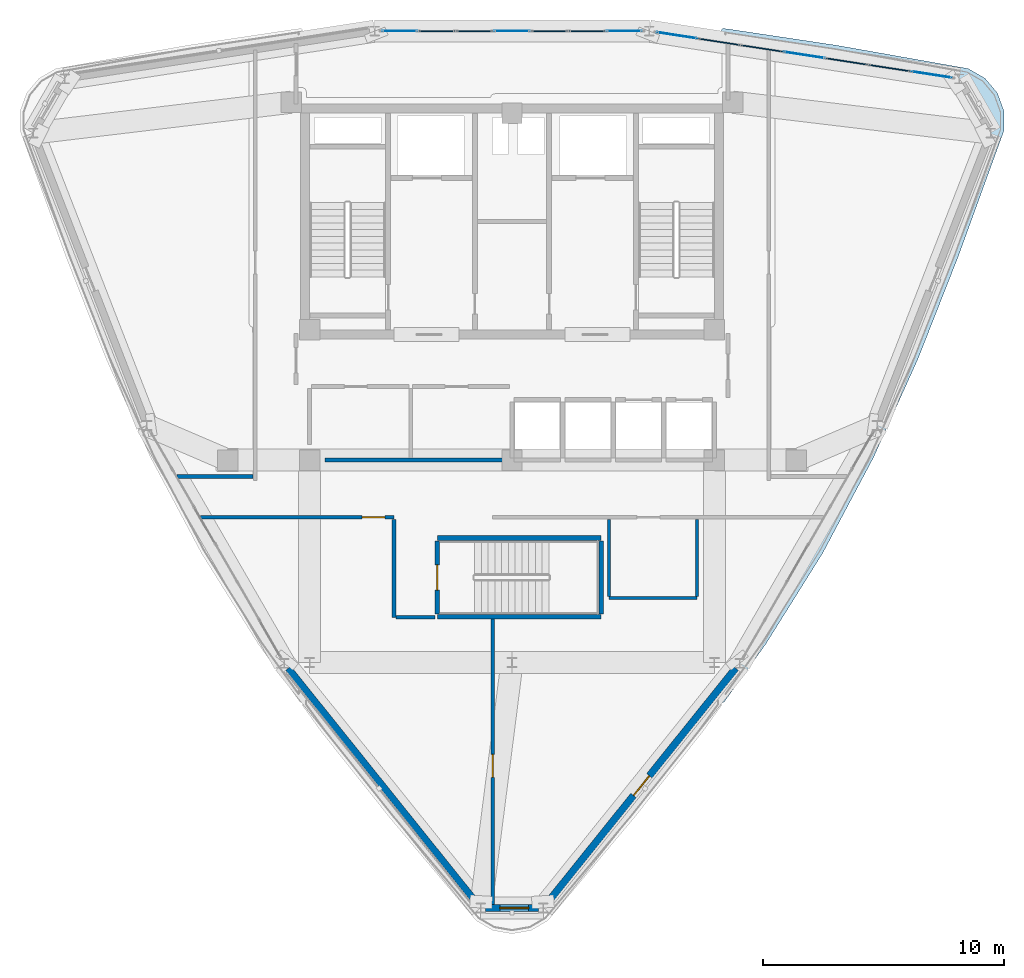
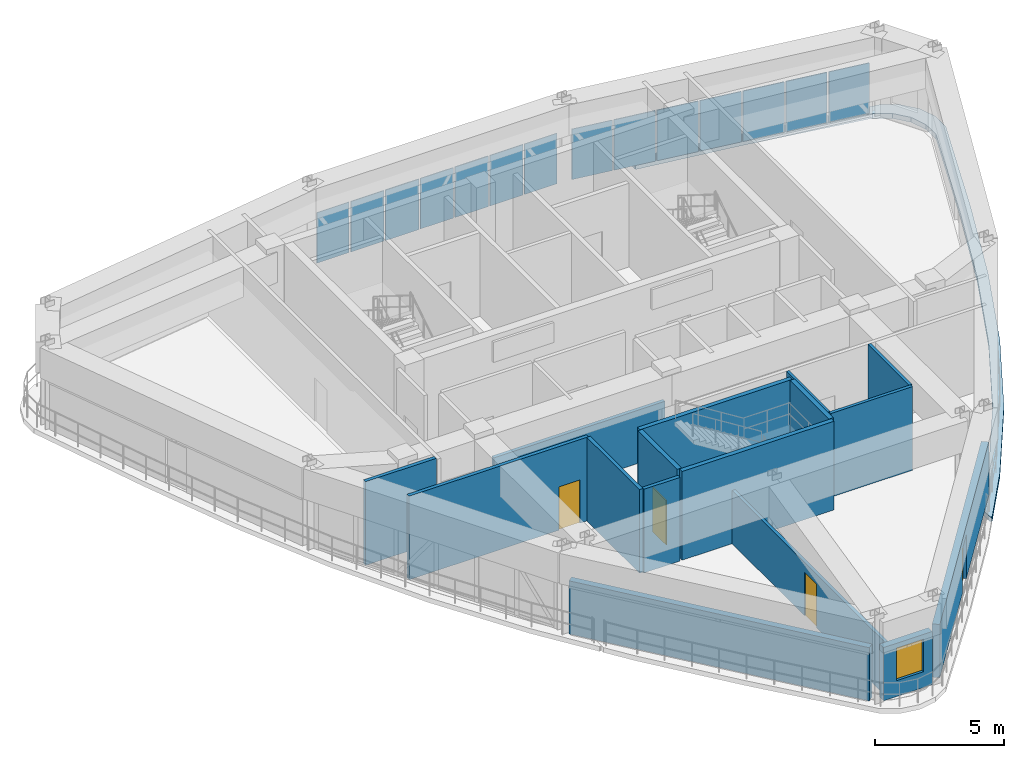
# One storey, part 12 of 18: 16 walls, 14 plates, 4 doors, 1 slab, 1 window, 5 openings, 2 elements without a shape of their own.
"""IFC4 building model written with IfcOpenShell, lengths in metres."""

import ifcopenshell
import ifcopenshell.guid

model = None  # the IFC model being written
_history = None  # IfcOwnerHistory: only IFC2X3 demands one
_inside = {}  # id of a spatial element -> (the spatial element, [elements in it])
_under = {}  # id of a project, library or spatial element -> (it, [spatial elements below it])
_declared = {}  # id of a project -> (the project, [libraries it declares])
_typed = {}  # id of a type object -> (the type object, [elements of that type])
_made_of = {}  # id of a material, layer set ... -> (it, [elements and type objects made of it])


def new_model(schema):
    """Start an empty IFC model of exactly this schema.

    Asked for "IFC4X3", IfcOpenShell would pick the latest addendum, in which some entities
    have other attributes; the version numbers below select the first issue.
    IFC2X3 requires an IfcOwnerHistory on every rooted entity: one is made here for all.
    """
    global model, _history
    if schema == "IFC4X3":
        model = ifcopenshell.file(schema_version=(4, 3, 0, 0))
    else:
        model = ifcopenshell.file(schema=schema)
    _inside.clear()
    _under.clear()
    _declared.clear()
    _typed.clear()
    _made_of.clear()
    _history = None
    if model.schema == "IFC2X3":
        org = make("IfcOrganization", Name="unknown")
        user = make(
            "IfcPersonAndOrganization",
            ThePerson=make("IfcPerson", FamilyName="unknown"),
            TheOrganization=org,
        )
        app = make(
            "IfcApplication",
            ApplicationDeveloper=org,
            Version="unknown",
            ApplicationFullName="unknown",
            ApplicationIdentifier="unknown",
        )
        _history = make(
            "IfcOwnerHistory",
            OwningUser=user,
            OwningApplication=app,
            ChangeAction="ADDED",
            CreationDate=0,
        )
    return model


def make(cls, **values):
    """One entity of the class cls with the attributes given. An attribute that is None is left unset."""
    return model.create_entity(
        cls, **{name: value for name, value in values.items() if value is not None}
    )


def rooted(cls, **values):
    """An entity with a GlobalId (a new one), such as an element, a storey or a relation."""
    return make(cls, GlobalId=ifcopenshell.guid.new(), OwnerHistory=_history, **values)


def si_unit(unit_type, name, prefix=None):
    """IfcSIUnit, for example si_unit("LENGTHUNIT", "METRE", prefix="MILLI")."""
    return make("IfcSIUnit", UnitType=unit_type, Prefix=prefix, Name=name)


def derived_unit(unit_type, elements):
    """IfcDerivedUnit: a product of units, each with its exponent."""
    return make(
        "IfcDerivedUnit",
        Elements=[
            make("IfcDerivedUnitElement", Unit=unit, Exponent=power)
            for unit, power in elements
        ],
        UnitType=unit_type,
    )


def assignment(units):
    """IfcUnitAssignment: the units of a project."""
    return None if units is None else make("IfcUnitAssignment", Units=units)


def point(xyz):
    """IfcCartesianPoint."""
    return None if xyz is None else make("IfcCartesianPoint", Coordinates=xyz)


def direction(xyz):
    """IfcDirection."""
    return None if xyz is None else make("IfcDirection", DirectionRatios=xyz)


def frame(location, z_axis=None, x_axis=None):
    """IfcAxis2Placement3D, a coordinate frame: its origin and axes. An axis left out is left unset."""
    return make(
        "IfcAxis2Placement3D",
        Location=point(location),
        Axis=direction(z_axis),
        RefDirection=direction(x_axis),
    )


def frame_2d(location, x_axis=None):
    """IfcAxis2Placement2D, a coordinate frame in the plane: its origin and x axis."""
    return make(
        "IfcAxis2Placement2D", Location=point(location), RefDirection=direction(x_axis)
    )


def origin():
    """The frame at (0, 0, 0) with its axes left unset."""
    return frame((0.0, 0.0, 0.0))


def origin_2d():
    """The frame at (0, 0) in the plane with its x axis left unset."""
    return frame_2d((0.0, 0.0))


def place(relative_to, where):
    """IfcLocalPlacement: puts the frame where relative to a parent placement (None: the world)."""
    return make(
        "IfcLocalPlacement", PlacementRelTo=relative_to, RelativePlacement=where
    )


def context(
    kind, dimensions, precision=None, world=None, true_north=None, identifier=None
):
    """IfcGeometricRepresentationContext, for example the 3D "Model" context."""
    return make(
        "IfcGeometricRepresentationContext",
        ContextIdentifier=identifier,
        ContextType=kind,
        CoordinateSpaceDimension=dimensions,
        Precision=precision,
        WorldCoordinateSystem=world,
        TrueNorth=true_north,
    )


def subcontext(parent, identifier, kind, view, scale=None):
    """IfcGeometricRepresentationSubContext, for example "Body" below "Model"."""
    return make(
        "IfcGeometricRepresentationSubContext",
        ContextIdentifier=identifier,
        ContextType=kind,
        ParentContext=parent,
        TargetScale=scale,
        TargetView=view,
    )


def project(units=None, contexts=None):
    """IfcProject with its units and contexts."""
    return rooted(
        "IfcProject",
        Name="project",
        RepresentationContexts=contexts,
        UnitsInContext=assignment(units),
    )


def spatial(cls, under=None, at=None, **own):
    """A site, building, storey or space (cls), placed at a placement, below another one or the project."""
    s = rooted(cls, ObjectPlacement=at, **own)
    if under is not None:
        _under.setdefault(under.id(), (under, []))[1].append(s)
    return s


def polyline(points):
    """IfcPolyline through the points."""
    return make("IfcPolyline", Points=[point(p) for p in points])


def profile(cls, at=None, kind="AREA", **sizes):
    """A parametric profile (cls). Its sizes go by their IFC names, for example OverallWidth=200.0."""
    return make(cls, ProfileType=kind, Position=at, **sizes)


def rectangle(**sizes):
    """IfcRectangleProfileDef."""
    return profile("IfcRectangleProfileDef", **sizes)


def outline(outer, holes=None, kind="AREA"):
    """IfcArbitraryClosedProfileDef: a profile drawn as a closed curve; with holes, ...WithVoids."""
    if holes is None:
        return make("IfcArbitraryClosedProfileDef", ProfileType=kind, OuterCurve=outer)
    return make(
        "IfcArbitraryProfileDefWithVoids",
        ProfileType=kind,
        OuterCurve=outer,
        InnerCurves=holes,
    )


def extrude(swept, where, along, depth):
    """IfcExtrudedAreaSolid: the profile swept, set in the frame where, extruded along a direction by depth."""
    return make(
        "IfcExtrudedAreaSolid",
        SweptArea=swept,
        Position=where,
        ExtrudedDirection=direction(along),
        Depth=depth,
    )


def shape(context_of_items, identifier, shape_type, items):
    """IfcShapeRepresentation: the items that make up one representation, for example the "Body"."""
    return make(
        "IfcShapeRepresentation",
        ContextOfItems=context_of_items,
        RepresentationIdentifier=identifier,
        RepresentationType=shape_type,
        Items=items,
    )


def source(mapping_origin, context_of_items, identifier, shape_type, items):
    """IfcRepresentationMap: a shape defined once, which mapped items show again and again."""
    return make(
        "IfcRepresentationMap",
        MappingOrigin=mapping_origin,
        MappedRepresentation=shape(context_of_items, identifier, shape_type, items),
    )


def transform(
    local_origin,
    x_axis=None,
    y_axis=None,
    z_axis=None,
    scale=None,
    scale2=None,
    scale3=None,
    uniform=True,
):
    """IfcCartesianTransformationOperator3D, or its non-uniform kind. x_axis, y_axis, z_axis: its Axis1, 2, 3."""
    if uniform:
        return make(
            "IfcCartesianTransformationOperator3D",
            Axis1=direction(x_axis),
            Axis2=direction(y_axis),
            LocalOrigin=point(local_origin),
            Scale=scale,
            Axis3=direction(z_axis),
        )
    return make(
        "IfcCartesianTransformationOperator3DnonUniform",
        Axis1=direction(x_axis),
        Axis2=direction(y_axis),
        LocalOrigin=point(local_origin),
        Scale=scale,
        Axis3=direction(z_axis),
        Scale2=scale2,
        Scale3=scale3,
    )


def mapped(mapping_source, mapping_target):
    """IfcMappedItem: shows the shape of a source again, moved by a transform."""
    return make(
        "IfcMappedItem", MappingSource=mapping_source, MappingTarget=mapping_target
    )


def material(Name=None, Category=None):
    """IfcMaterial."""
    return make("IfcMaterial", Name=Name, Category=Category)


def layer(
    of_material, thickness, ventilated=None, Name=None, Category=None, Priority=None
):
    """IfcMaterialLayer: one layer of a wall or slab, of a material (None: an air gap)."""
    return make(
        "IfcMaterialLayer",
        Material=of_material,
        LayerThickness=thickness,
        IsVentilated=ventilated,
        Name=Name,
        Category=Category,
        Priority=Priority,
    )


def layer_set(layers, Name=None):
    """IfcMaterialLayerSet."""
    return make("IfcMaterialLayerSet", MaterialLayers=layers, LayerSetName=Name)


def made_of(thing, what):
    """Note that an element or type object is made of a material, layer set ...; save() writes the relation."""
    if what is not None:
        _made_of.setdefault(what.id(), (what, []))[1].append(thing)
    return thing


def type_object(cls, material=None, **own):
    """A type object (cls), such as IfcWallType, which elements share."""
    return made_of(rooted(cls, **own), material)


def element(
    cls,
    number,
    at=None,
    inside=None,
    cuts=None,
    type_object=None,
    material=None,
    context=None,
    identifier="Body",
    shape_type=None,
    held_by="IfcProductDefinitionShape",
    body=None,
    shapes=None,
    **own,
):
    """One element of the class cls, such as IfcWall. Its Tag is "e" and its number.

    at: its placement. inside: the storey or other place that contains it. cuts: it is an
    opening in that element (IfcRelVoidsElement). A single representation is given by context,
    identifier, shape_type and body (its items); several are given by shapes. held_by: the class
    of the entity that holds the representations. save() writes the other relations.
    """
    e = rooted(cls, Tag="e%d" % number, ObjectPlacement=at, **own)
    if body is not None:
        shapes = [shape(context, identifier, shape_type, body)]
    if shapes is not None:
        e.Representation = make(held_by, Representations=shapes)
    if inside is not None:
        _inside.setdefault(inside.id(), (inside, []))[1].append(e)
    if cuts is not None:
        rooted(
            "IfcRelVoidsElement", RelatingBuildingElement=cuts, RelatedOpeningElement=e
        )
    if type_object is not None:
        _typed.setdefault(type_object.id(), (type_object, []))[1].append(e)
    return made_of(e, material)


def fill(opening, filler):
    """IfcRelFillsElement: the door or window that sits in an opening."""
    return rooted(
        "IfcRelFillsElement",
        RelatingOpeningElement=opening,
        RelatedBuildingElement=filler,
    )


def aggregate(whole, parts):
    """IfcRelAggregates: a whole, such as a stair, and the parts it consists of."""
    return rooted("IfcRelAggregates", RelatingObject=whole, RelatedObjects=parts)


def save(model, path):
    """Write the relations noted so far, then the file.

    IfcRelAggregates (storeys below a building ...), IfcRelContainedInSpatialStructure (elements
    in a storey), IfcRelDefinesByType, IfcRelAssociatesMaterial and IfcRelDeclares: one each for
    every whole, place, type object, material and project.
    """
    for whole, parts in _under.values():
        aggregate(whole, parts)
    for where, things in _inside.values():
        rooted(
            "IfcRelContainedInSpatialStructure",
            RelatedElements=things,
            RelatingStructure=where,
        )
    for kind, things in _typed.values():
        rooted("IfcRelDefinesByType", RelatedObjects=things, RelatingType=kind)
    for what, things in _made_of.values():
        rooted("IfcRelAssociatesMaterial", RelatedObjects=things, RelatingMaterial=what)
    for by, libraries in _declared.values():
        rooted("IfcRelDeclares", RelatingContext=by, RelatedDefinitions=libraries)
    model.write(path)


model = new_model("IFC4")

# Units and contexts
model_context = context("Model", 3, precision=1e-05, world=origin(), true_north=direction((0.0, 1.0)))
body_context = subcontext(model_context, "Body", "Model", "MODEL_VIEW")
ifc_project = project(units=[si_unit("LENGTHUNIT", "METRE"), si_unit("AREAUNIT", "SQUARE_METRE"), si_unit("VOLUMEUNIT", "CUBIC_METRE"), si_unit("PLANEANGLEUNIT", "RADIAN"), si_unit("MASSUNIT", "GRAM", prefix="KILO"), derived_unit("THERMALTRANSMITTANCEUNIT", [(si_unit("POWERUNIT", "WATT"), 1), (si_unit("LENGTHUNIT", "METRE"), -2), (si_unit("THERMODYNAMICTEMPERATUREUNIT", "KELVIN"), -1)])], contexts=[model_context])

# Site, building, storey
site_placement = place(None, origin())
site = spatial("IfcSite", under=ifc_project, at=site_placement, CompositionType="ELEMENT")
building_placement = place(site_placement, origin())
building = spatial("IfcBuilding", under=site, at=building_placement, Name="Korsvarv Bourse and Concert Hall", CompositionType="ELEMENT")
storey_placement = place(building_placement, frame((0.0, 0.0, 275.39990234375)))
storey = spatial("IfcBuildingStorey", under=building, at=storey_placement, Name="L72", CompositionType="ELEMENT", Elevation=275.39990234375)

# Slab
ifc_material_1 = material(Name="Concrete C45/55", Category="concrete")
ifc_layer_1 = layer(ifc_material_1, 0.22998046875)
ifc_layer_set_1 = layer_set([ifc_layer_1], Name="Concrete C45/55")
slab_type = type_object("IfcSlabType", Name="SLB-SKY", PredefinedType="FLOOR", material=ifc_layer_set_1)
slab_placement = place(storey_placement, frame((0.0, 0.0, -0.22998046875)))
element("IfcSlab", 1, at=slab_placement, inside=storey, type_object=slab_type, Name="L72 Crescent Sky Garden Terrace 2", PredefinedType="FLOOR", context=body_context, shape_type="SweptSolid", body=[
    extrude(outline(polyline([(44.751220703125, 49.8525390625), (44.7451171875, 49.853759765625), (44.7392578125, 49.85546875), (44.733642578125, 49.85791015625), (44.728515625, 49.86083984375), (44.723388671875, 49.8642578125), (44.71875, 49.868408203125), (44.714599609375, 49.872802734375), (44.710693359375, 49.87744140625), (44.70751953125, 49.8828125), (44.704833984375, 49.88818359375), (44.702880859375, 49.893798828125), (44.701171875, 49.899658203125), (44.7001953125, 49.90576171875), (44.699951171875, 49.911865234375), (44.699951171875, 50.24658203125), (44.7001953125, 50.25244140625), (44.701171875, 50.25830078125), (44.70263671875, 50.263916015625), (44.70458984375, 50.26953125), (44.70703125, 50.27490234375), (44.710205078125, 50.27978515625), (44.713623046875, 50.28466796875), (44.717529296875, 50.2890625), (44.721923828125, 50.29296875), (44.726806640625, 50.29638671875), (44.731689453125, 50.29931640625), (44.737060546875, 50.302001953125), (44.74267578125, 50.303955078125), (44.748291015625, 50.305419921875), (44.754150390625, 50.30615234375), (44.760009765625, 50.306396484375), (44.76611328125, 50.30615234375), (44.960693359375, 50.28662109375), (44.963623046875, 50.286376953125), (49.464599609375, 49.610107421875), (49.466064453125, 49.610107421875), (53.990478515625, 48.808349609375), (54.921630859375, 48.64404296875), (54.9267578125, 48.64306640625), (54.931884765625, 48.641357421875), (54.9365234375, 48.639404296875), (54.94140625, 48.636962890625), (55.61669921875, 48.2470703125), (55.62109375, 48.244384765625), (55.625244140625, 48.2412109375), (55.629150390625, 48.237548828125), (55.632568359375, 48.233642578125), (56.1337890625, 47.63623046875), (56.136962890625, 47.632080078125), (56.139892578125, 47.627685546875), (56.14208984375, 47.623046875), (56.144287109375, 47.618408203125), (56.410888671875, 46.885498046875), (56.41259765625, 46.880615234375), (56.413818359375, 46.875244140625), (56.414306640625, 46.8701171875), (56.41455078125, 46.864990234375), (56.41455078125, 46.085205078125), (56.414306640625, 46.079833984375), (56.413818359375, 46.07470703125), (56.41259765625, 46.069580078125), (56.410888671875, 46.064697265625), (56.08740234375, 45.17529296875), (54.519775390625, 40.85693359375), (54.51904296875, 40.855712890625), (52.85400390625, 36.61962890625), (52.85302734375, 36.616943359375), (51.001220703125, 32.510009765625), (50.99951171875, 32.506591796875), (48.89990234375, 28.5546875), (48.89794921875, 28.551025390625), (46.525146484375, 24.756591796875), (46.523193359375, 24.75341796875), (44.80859375, 22.370361328125), (44.80517578125, 22.36572265625), (44.801025390625, 22.361572265625), (44.796630859375, 22.35791015625), (44.7919921875, 22.3544921875), (44.786865234375, 22.351806640625), (44.781494140625, 22.349365234375), (44.77587890625, 22.34765625), (44.770263671875, 22.34619140625), (44.764404296875, 22.345703125), (44.7587890625, 22.345458984375), (44.7529296875, 22.345703125), (44.747314453125, 22.3466796875), (44.74169921875, 22.348388671875), (44.736083984375, 22.350341796875), (44.73095703125, 22.352783203125), (44.72607421875, 22.35595703125), (44.721435546875, 22.359619140625), (44.717041015625, 22.36328125), (44.71337890625, 22.367919921875), (44.709716796875, 22.37255859375), (44.706787109375, 22.37744140625), (44.704345703125, 22.3828125), (44.702392578125, 22.38818359375), (44.701171875, 22.393798828125), (44.7001953125, 22.399658203125), (44.699951171875, 22.405517578125), (44.699951171875, 22.971923828125), (44.7001953125, 22.978271484375), (44.701416015625, 22.984375), (44.702880859375, 22.990478515625), (44.705078125, 22.99609375), (44.7080078125, 23.001708984375), (44.711181640625, 23.007080078125), (46.205810546875, 25.084716796875), (46.206298828125, 25.085205078125), (46.206787109375, 25.0859375), (48.51318359375, 28.7744140625), (48.513671875, 28.775390625), (48.513916015625, 28.77587890625), (50.55517578125, 32.61767578125), (50.5556640625, 32.618408203125), (50.555908203125, 32.619140625), (52.35595703125, 36.611328125), (52.356201171875, 36.61181640625), (52.3564453125, 36.612548828125), (53.97509765625, 40.7294921875), (53.97509765625, 40.729736328125), (53.975341796875, 40.730224609375), (55.499267578125, 44.927001953125), (55.814453125, 45.792724609375), (55.814697265625, 45.79345703125), (55.81494140625, 45.794677734375), (55.815185546875, 45.795654296875), (55.815185546875, 45.796875), (55.815185546875, 45.797607421875), (55.815185546875, 46.5625), (55.815185546875, 46.56298828125), (55.815185546875, 46.564453125), (55.81494140625, 46.565185546875), (55.814697265625, 46.566650390625), (55.814453125, 46.567138671875), (55.552734375, 47.285888671875), (55.552490234375, 47.28662109375), (55.552001953125, 47.287841796875), (55.551513671875, 47.28857421875), (55.55078125, 47.289794921875), (55.55029296875, 47.2900390625), (55.05859375, 47.876220703125), (55.05810546875, 47.87646484375), (55.057373046875, 47.87744140625), (55.056640625, 47.878173828125), (55.055419921875, 47.87890625), (55.054931640625, 47.879150390625), (54.392333984375, 48.26171875), (54.391845703125, 48.261962890625), (54.390625, 48.262451171875), (54.389892578125, 48.2626953125), (54.388427734375, 48.26318359375), (54.387939453125, 48.26318359375), (53.481201171875, 48.423095703125), (49.083984375, 49.201904296875), (49.083740234375, 49.201904296875), (49.08349609375, 49.2021484375), (44.751220703125, 49.8525390625)])), origin(), (0.0, 0.0, 1.0), 0.22998046875),
])

# Curtain wall, plates
ifc_material_2 = material(Name="Anodised aluminium and triple low-E glazing", Category="glass")
ifc_layer_2 = layer(ifc_material_2, 0.18994140625)
ifc_layer_set_2 = layer_set([ifc_layer_2], Name="Anodised aluminium and triple low-E glazing")
curtain_wall_type = type_object("IfcCurtainWallType", Name="CW-SYS-4", PredefinedType="NOTDEFINED", material=ifc_layer_set_2)
curtain_wall_1_placement = place(storey_placement, origin())
curtain_wall_1 = element("IfcCurtainWall", 2, at=curtain_wall_1_placement, inside=storey, type_object=curtain_wall_type, Name="L72 CW4 curtain wall CW-L72-F02", PredefinedType="NOTDEFINED")
ifc_material_3 = material(Name="Insulated spandrel glass", Category="glass")
ifc_layer_3 = layer(ifc_material_3, 0.031982421875)
ifc_layer_set_3 = layer_set([ifc_layer_3], Name="Insulated spandrel glass")
plate_type_1 = type_object("IfcPlateType", Name="CWP-SPD1", PredefinedType="CURTAIN_PANEL", material=ifc_layer_set_3)
shared_shape_1 = source(origin(), body_context, "Body", "SweptSolid", [
    extrude(rectangle(XDim=1.68212890625, YDim=0.031982421875, at=origin_2d()), origin(), (0.0, 0.0, 1.0), 2.389892578125),
])
plate_1_placement = place(storey_placement, frame((53.4130859375, 48.3955078125, 0.06494140625), z_axis=(0.0, 0.0, 1.0), x_axis=(-0.98834451222, 0.152233784573, 0.0)))
plate_1 = element("IfcPlate", 3, at=plate_1_placement, type_object=plate_type_1, Name="CW4 spandrel shadow-box panel 1.1", PredefinedType="CURTAIN_PANEL", context=body_context, shape_type="MappedRepresentation", body=[
    mapped(shared_shape_1, transform((0.0, 0.0, 0.0), scale=1.0)),
])
plate_2_placement = place(storey_placement, frame((42.85009765625, 50.0224609375, 0.06494140625), z_axis=(0.0, 0.0, 1.0), x_axis=(-0.98834451222, 0.152233784573, 0.0)))
plate_2 = element("IfcPlate", 4, at=plate_2_placement, type_object=plate_type_1, Name="CW4 spandrel shadow-box panel 7.1", PredefinedType="CURTAIN_PANEL", context=body_context, shape_type="MappedRepresentation", body=[
    mapped(shared_shape_1, transform((0.0, 0.0, 0.0), scale=1.0)),
])
ifc_material_4 = material(Name="Tempered triple insulated low-E architectural glass", Category="glass")
ifc_layer_4 = layer(ifc_material_4, 0.0419921875)
ifc_layer_set_4 = layer_set([ifc_layer_4], Name="Tempered triple insulated low-E architectural glass")
plate_type_2 = type_object("IfcPlateType", Name="CWP-VIS3", PredefinedType="CURTAIN_PANEL", material=ifc_layer_set_4)
shared_shape_2 = source(origin(), body_context, "Body", "SweptSolid", [
    extrude(rectangle(XDim=1.717041015625, YDim=0.0419921875, at=origin_2d()), origin(), (0.0, 0.0, 1.0), 2.389892578125),
])
plate_3_placement = place(storey_placement, frame((51.664306640625, 48.664794921875, 0.06494140625), z_axis=(0.0, 0.0, 1.0), x_axis=(-0.98834451222, 0.152233784573, 0.0)))
plate_3 = element("IfcPlate", 5, at=plate_3_placement, type_object=plate_type_2, Name="CW4 faceted panel 2.1", PredefinedType="CURTAIN_PANEL", context=body_context, shape_type="MappedRepresentation", body=[
    mapped(shared_shape_2, transform((0.0, 0.0, 0.0), scale=1.0)),
])
plate_4_placement = place(storey_placement, frame((49.89794921875, 48.93701171875, 0.06494140625), z_axis=(0.0, 0.0, 1.0), x_axis=(-0.98834451222, 0.152233784573, 0.0)))
plate_4 = element("IfcPlate", 6, at=plate_4_placement, type_object=plate_type_2, Name="CW4 faceted panel 3.1", PredefinedType="CURTAIN_PANEL", context=body_context, shape_type="MappedRepresentation", body=[
    mapped(shared_shape_2, transform((0.0, 0.0, 0.0), scale=1.0)),
])
plate_5_placement = place(storey_placement, frame((46.365478515625, 49.48095703125, 0.06494140625), z_axis=(0.0, 0.0, 1.0), x_axis=(-0.98834451222, 0.152233784573, 0.0)))
plate_5 = element("IfcPlate", 7, at=plate_5_placement, type_object=plate_type_2, Name="CW4 faceted panel 5.1", PredefinedType="CURTAIN_PANEL", context=body_context, shape_type="MappedRepresentation", body=[
    mapped(shared_shape_2, transform((0.0, 0.0, 0.0), scale=1.0)),
])
plate_6_placement = place(storey_placement, frame((44.59912109375, 49.753173828125, 0.06494140625), z_axis=(0.0, 0.0, 1.0), x_axis=(-0.98834451222, 0.152233784573, 0.0)))
plate_6 = element("IfcPlate", 8, at=plate_6_placement, type_object=plate_type_2, Name="CW4 faceted panel 6.1", PredefinedType="CURTAIN_PANEL", context=body_context, shape_type="MappedRepresentation", body=[
    mapped(shared_shape_2, transform((0.0, 0.0, 0.0), scale=1.0)),
])
shared_shape_3 = source(origin(), body_context, "Body", "SweptSolid", [
    extrude(rectangle(XDim=1.717041015625, YDim=0.031982421875, at=origin_2d()), origin(), (0.0, 0.0, 1.0), 2.389892578125),
])
plate_7_placement = place(storey_placement, frame((48.131591796875, 49.208984375, 0.06494140625), z_axis=(0.0, 0.0, 1.0), x_axis=(-0.98834451222, 0.152233784573, 0.0)))
plate_7 = element("IfcPlate", 9, at=plate_7_placement, type_object=plate_type_1, Name="CW4 spandrel shadow-box panel 4.1", PredefinedType="CURTAIN_PANEL", context=body_context, shape_type="MappedRepresentation", body=[
    mapped(shared_shape_3, transform((0.0, 0.0, 0.0), scale=1.0)),
])
aggregate(curtain_wall_1, [plate_1, plate_3, plate_4, plate_7, plate_5, plate_6, plate_2])

curtain_wall_2_placement = place(storey_placement, origin())
curtain_wall_2 = element("IfcCurtainWall", 10, at=curtain_wall_2_placement, inside=storey, type_object=curtain_wall_type, Name="L72 CW4 curtain wall CW-L72-F03", PredefinedType="NOTDEFINED")
shared_shape_4 = source(origin(), body_context, "Body", "SweptSolid", [
    extrude(rectangle(XDim=1.45166015625, YDim=0.031982421875, at=origin_2d()), origin(), (0.0, 0.0, 1.0), 2.389892578125),
])
plate_8_placement = place(storey_placement, frame((40.65283203125, 50.19970703125, 0.06494140625), z_axis=(0.0, 0.0, 1.0), x_axis=(-1.0, 0.0, 0.0)))
plate_8 = element("IfcPlate", 11, at=plate_8_placement, type_object=plate_type_1, Name="CW4 spandrel shadow-box panel 1.1", PredefinedType="CURTAIN_PANEL", context=body_context, shape_type="MappedRepresentation", body=[
    mapped(shared_shape_4, transform((0.0, 0.0, 0.0), scale=1.0)),
])
plate_9_placement = place(storey_placement, frame((31.34716796875, 50.19970703125, 0.06494140625), z_axis=(0.0, 0.0, 1.0), x_axis=(-1.0, 0.0, 0.0)))
plate_9 = element("IfcPlate", 12, at=plate_9_placement, type_object=plate_type_1, Name="CW4 spandrel shadow-box panel 7.1", PredefinedType="CURTAIN_PANEL", context=body_context, shape_type="MappedRepresentation", body=[
    mapped(shared_shape_4, transform((0.0, 0.0, 0.0), scale=1.0)),
])
shared_shape_5 = source(origin(), body_context, "Body", "SweptSolid", [
    extrude(rectangle(XDim=1.48681640625, YDim=0.0419921875, at=origin_2d()), origin(), (0.0, 0.0, 1.0), 2.389892578125),
])
plate_10_placement = place(storey_placement, frame((39.113525390625, 50.19970703125, 0.06494140625), z_axis=(0.0, 0.0, 1.0), x_axis=(-1.0, 0.0, 0.0)))
plate_10 = element("IfcPlate", 13, at=plate_10_placement, type_object=plate_type_2, Name="CW4 faceted panel 2.1", PredefinedType="CURTAIN_PANEL", context=body_context, shape_type="MappedRepresentation", body=[
    mapped(shared_shape_5, transform((0.0, 0.0, 0.0), scale=1.0)),
])
plate_11_placement = place(storey_placement, frame((37.556884765625, 50.19970703125, 0.06494140625), z_axis=(0.0, 0.0, 1.0), x_axis=(-1.0, 0.0, 0.0)))
plate_11 = element("IfcPlate", 14, at=plate_11_placement, type_object=plate_type_2, Name="CW4 faceted panel 3.1", PredefinedType="CURTAIN_PANEL", context=body_context, shape_type="MappedRepresentation", body=[
    mapped(shared_shape_5, transform((0.0, 0.0, 0.0), scale=1.0)),
])
plate_12_placement = place(storey_placement, frame((34.443115234375, 50.19970703125, 0.06494140625), z_axis=(0.0, 0.0, 1.0), x_axis=(-1.0, 0.0, 0.0)))
plate_12 = element("IfcPlate", 15, at=plate_12_placement, type_object=plate_type_2, Name="CW4 faceted panel 5.1", PredefinedType="CURTAIN_PANEL", context=body_context, shape_type="MappedRepresentation", body=[
    mapped(shared_shape_5, transform((0.0, 0.0, 0.0), scale=1.0)),
])
plate_13_placement = place(storey_placement, frame((32.886474609375, 50.19970703125, 0.06494140625), z_axis=(0.0, 0.0, 1.0), x_axis=(-1.0, 0.0, 0.0)))
plate_13 = element("IfcPlate", 16, at=plate_13_placement, type_object=plate_type_2, Name="CW4 faceted panel 6.1", PredefinedType="CURTAIN_PANEL", context=body_context, shape_type="MappedRepresentation", body=[
    mapped(shared_shape_5, transform((0.0, 0.0, 0.0), scale=1.0)),
])
shared_shape_6 = source(origin(), body_context, "Body", "SweptSolid", [
    extrude(rectangle(XDim=1.48681640625, YDim=0.031982421875, at=origin_2d()), origin(), (0.0, 0.0, 1.0), 2.389892578125),
])
plate_14_placement = place(storey_placement, frame((36.0, 50.19970703125, 0.06494140625), z_axis=(0.0, 0.0, 1.0), x_axis=(-1.0, 0.0, 0.0)))
plate_14 = element("IfcPlate", 17, at=plate_14_placement, type_object=plate_type_1, Name="CW4 spandrel shadow-box panel 4.1", PredefinedType="CURTAIN_PANEL", context=body_context, shape_type="MappedRepresentation", body=[
    mapped(shared_shape_6, transform((0.0, 0.0, 0.0), scale=1.0)),
])
aggregate(curtain_wall_2, [plate_8, plate_10, plate_11, plate_14, plate_12, plate_13, plate_9])

# Walls
ifc_material_5 = material(Name="Concrete C50/60", Category="concrete")
ifc_layer_5 = layer(ifc_material_5, 0.3798828125)
ifc_layer_set_5 = layer_set([ifc_layer_5], Name="Concrete C50/60")
wall_type_1 = type_object("IfcWallType", Name="WL-CORE-380", PredefinedType="SHEAR", material=ifc_layer_set_5)
for number, where, z_axis, x_axis, name in (
    (18, (32.89990234375, 29.159912109375, 0.0), (0.0, 0.0, 1.0), (1.0, 0.0, 0.0), "L72 Lookout Stair North Bearing Wall"),
    (19, (32.89990234375, 25.89990234375, 0.0), (0.0, 0.0, 1.0), (1.0, 0.0, 0.0), "L72 Lookout Stair South Bearing Wall"),
):
    element("IfcWall", number, at=place(storey_placement, frame(where, z_axis=z_axis, x_axis=x_axis)), inside=storey, type_object=wall_type_1, Name=name, PredefinedType="SHEAR", context=body_context, shape_type="SweptSolid", body=[
        extrude(rectangle(XDim=6.800048828125, YDim=0.199951171875, at=frame_2d((3.39990234375, 0.0))), origin(), (0.0, 0.0, 1.0), 4.2001953125),
    ])
wall_1_placement = place(storey_placement, frame((39.699951171875, 26.02001953125, 0.0), z_axis=(0.0, 0.0, 1.0), x_axis=(0.0, 1.0, 0.0)))
element("IfcWall", 20, at=wall_1_placement, inside=storey, type_object=wall_type_1, Name="L72 Lookout Stair East Bearing Wall", PredefinedType="SHEAR", context=body_context, shape_type="SweptSolid", body=[
    extrude(rectangle(XDim=3.02001953125, YDim=0.199951171875, at=frame_2d((1.510009765625, 0.0))), origin(), (0.0, 0.0, 1.0), 4.2001953125),
])

# Wall, opening, door
wall_2_placement = place(storey_placement, frame((32.89990234375, 26.02001953125, 0.0), z_axis=(0.0, 0.0, 1.0), x_axis=(0.0, 1.0, 0.0)))
wall_2 = element("IfcWall", 21, at=wall_2_placement, inside=storey, type_object=wall_type_1, Name="L72 stair shaft structural wall W-L72-STLK-W", PredefinedType="SHEAR", context=body_context, shape_type="SweptSolid", body=[
    extrude(rectangle(XDim=3.02001953125, YDim=0.199951171875, at=frame_2d((1.510009765625, 0.0))), origin(), (0.0, 0.0, 1.0), 4.2001953125),
])
opening_1_placement = place(wall_2_placement, frame((0.97998046875, 0.0, 0.0)))
opening_1 = element("IfcOpeningElement", 22, at=opening_1_placement, cuts=wall_2, Name="Opening D-01", PredefinedType="OPENING", context=body_context, shape_type="SweptSolid", body=[
    extrude(rectangle(XDim=1.050048828125, YDim=2.10009765625, at=frame_2d((0.52490234375, 1.050048828125))), frame((0.0, 0.10986328125, 0.0), z_axis=(0.0, -1.0, 0.0), x_axis=(1.0, 0.0, 0.0)), (0.0, 0.0, 1.0), 0.219970703125),
])
ifc_material_6 = material(Name="Steel S355 fire door", Category="steel")
door_type_1 = type_object("IfcDoorType", Name="DR-FD60", OperationType="NOTDEFINED", PredefinedType="DOOR", material=ifc_material_6)
door_1_placement = place(opening_1_placement, frame((1.050048828125, 0.0, 0.0), z_axis=(0.0, 0.0, 1.0), x_axis=(-1.0, 0.0, 0.0)))
door_1 = element("IfcDoor", 23, at=door_1_placement, inside=storey, type_object=door_type_1, Name="L72 interior door DR-L72-STLK", OperationType="SINGLE_SWING_LEFT", OverallHeight=2.10009765625, OverallWidth=1.050048828125, PredefinedType="DOOR", context=body_context, shape_type="SweptSolid", body=[
    extrude(rectangle(XDim=1.050048828125, YDim=2.10009765625, at=frame_2d((0.52490234375, 1.050048828125))), frame((0.0, 0.02490234375, 0.0), z_axis=(0.0, -1.0, 0.0), x_axis=(1.0, 0.0, 0.0)), (0.0, 0.0, 1.0), 0.050048828125),
])
fill(opening_1, door_1)

# Wall, opening, window
ifc_material_7 = material(Name="Precast concrete C45/55 with terracotta rainscreen", Category="concrete")
ifc_layer_6 = layer(ifc_material_7, 0.300048828125)
ifc_layer_set_6 = layer_set([ifc_layer_6], Name="Precast concrete C45/55 with terracotta rainscreen")
wall_type_2 = type_object("IfcWallType", Name="WL-EXT-TC1", PredefinedType="SOLIDWALL", material=ifc_layer_set_6)
wall_3_placement = place(storey_placement, frame((34.90625, 13.81396484375, 0.0), z_axis=(0.0, 0.0, 1.0), x_axis=(1.0, 0.0, 0.0)))
wall_3 = element("IfcWall", 24, at=wall_3_placement, inside=storey, type_object=wall_type_2, Name="L72 terracotta exterior wall EW-L72-B09", PredefinedType="SOLIDWALL", context=body_context, shape_type="SweptSolid", body=[
    extrude(rectangle(XDim=2.1875, YDim=0.300048828125, at=frame_2d((1.09375, 0.0))), origin(), (0.0, 0.0, 1.0), 2.52001953125),
])
opening_2_placement = place(wall_3_placement, frame((0.587646484375, 0.0, 0.75)))
opening_2 = element("IfcOpeningElement", 25, at=opening_2_placement, cuts=wall_3, Name="Opening W-16", PredefinedType="OPENING", context=body_context, shape_type="SweptSolid", body=[
    extrude(rectangle(XDim=1.199951171875, YDim=1.550048828125, at=frame_2d((0.60009765625, 0.77490234375))), frame((0.0, 0.16015625, 0.0), z_axis=(0.0, -1.0, 0.0), x_axis=(1.0, 0.0, 0.0)), (0.0, 0.0, 1.0), 0.320068359375),
])
ifc_material_8 = material(Name="Thermally broken aluminium frame with triple low-E glass", Category="glass")
window_type = type_object("IfcWindowType", Name="WIN-TW2-1200X1550", PartitioningType="SINGLE_PANEL", PredefinedType="WINDOW", material=ifc_material_8)
window_placement = place(opening_2_placement, origin())
window = element("IfcWindow", 26, at=window_placement, inside=storey, type_object=window_type, Name="L72 punched facade window W-16", OverallHeight=1.550048828125, OverallWidth=1.199951171875, PartitioningType="SINGLE_PANEL", PredefinedType="WINDOW", context=body_context, shape_type="SweptSolid", body=[
    extrude(rectangle(XDim=1.199951171875, YDim=1.550048828125, at=frame_2d((0.60009765625, 0.77490234375))), frame((0.0, 0.030029296875, 0.0), z_axis=(0.0, -1.0, 0.0), x_axis=(1.0, 0.0, 0.0)), (0.0, 0.0, 1.0), 0.06005859375),
])
fill(opening_2, window)

# Wall, opening, door
wall_4_placement = place(storey_placement, frame((37.46337890625, 14.018310546875, 0.0), z_axis=(0.0, 0.0, 1.0), x_axis=(0.626009756129, 0.779815225058, 0.0)))
wall_4 = element("IfcWall", 27, at=wall_4_placement, inside=storey, type_object=wall_type_2, Name="L72 terracotta exterior wall EW-L72-B10", PredefinedType="SOLIDWALL", context=body_context, shape_type="SweptSolid", body=[
    extrude(rectangle(XDim=12.492431640625, YDim=0.300048828125, at=frame_2d((6.24609375, 0.0))), origin(), (0.0, 0.0, 1.0), 2.52001953125),
])
opening_3_placement = place(wall_4_placement, frame((5.72119140625, 0.0, 0.0)))
opening_3 = element("IfcOpeningElement", 28, at=opening_3_placement, cuts=wall_4, Name="Opening ED-02", PredefinedType="OPENING", context=body_context, shape_type="SweptSolid", body=[
    extrude(rectangle(XDim=1.050048828125, YDim=2.10009765625, at=frame_2d((0.52490234375, 1.050048828125))), frame((0.0, 0.16015625, 0.0), z_axis=(0.0, -1.0, 0.0), x_axis=(1.0, 0.0, 0.0)), (0.0, 0.0, 1.0), 0.320068359375),
])
ifc_material_9 = material(Name="Thermally broken anodised aluminium and laminated safety glass", Category="aluminium")
door_type_2 = type_object("IfcDoorType", Name="DR-EXT-TERR", OperationType="NOTDEFINED", PredefinedType="DOOR", material=ifc_material_9)
door_2_placement = place(opening_3_placement, frame((1.050048828125, 0.0, 0.0), z_axis=(0.0, 0.0, 1.0), x_axis=(-1.0, 0.0, 0.0)))
door_2 = element("IfcDoor", 29, at=door_2_placement, inside=storey, type_object=door_type_2, Name="L72 Sky Garden Terrace Access Door", OperationType="SINGLE_SWING_LEFT", OverallHeight=2.10009765625, OverallWidth=1.050048828125, PredefinedType="DOOR", context=body_context, shape_type="SweptSolid", body=[
    extrude(rectangle(XDim=1.050048828125, YDim=2.10009765625, at=frame_2d((0.52490234375, 1.050048828125))), frame((0.0, 0.02490234375, 0.0), z_axis=(0.0, -1.0, 0.0), x_axis=(1.0, 0.0, 0.0)), (0.0, 0.0, 1.0), 0.050048828125),
])
fill(opening_3, door_2)

# Walls
ifc_material_10 = material(Name="Precast concrete C45/55 with fluted terracotta pier", Category="concrete")
ifc_layer_7 = layer(ifc_material_10, 0.280029296875)
ifc_layer_set_7 = layer_set([ifc_layer_7], Name="Precast concrete C45/55 with fluted terracotta pier")
wall_type_3 = type_object("IfcWallType", Name="WL-EXT-TC2", PredefinedType="SOLIDWALL", material=ifc_layer_set_7)
wall_5_placement = place(storey_placement, frame((26.71630859375, 23.760009765625, 0.0), z_axis=(0.0, 0.0, 1.0), x_axis=(0.626009756129, -0.779815225058, 0.0)))
element("IfcWall", 30, at=wall_5_placement, inside=storey, type_object=wall_type_3, Name="L72 terracotta exterior wall EW-L72-B08", PredefinedType="SOLIDWALL", context=body_context, shape_type="SweptSolid", body=[
    extrude(rectangle(XDim=12.492431640625, YDim=0.280029296875, at=frame_2d((6.24609375, 0.0))), origin(), (0.0, 0.0, 1.0), 2.52001953125),
])
ifc_material_11 = material(Name="Double-stud fire-rated acoustic partition", Category="gypsum")
ifc_layer_8 = layer(ifc_material_11, 0.159912109375)
ifc_layer_set_8 = layer_set([ifc_layer_8], Name="Double-stud fire-rated acoustic partition")
wall_type_4 = type_object("IfcWallType", Name="WL-INT-EI60", PredefinedType="PARTITIONING", material=ifc_layer_set_8)
wall_6_placement = place(storey_placement, frame((28.25, 32.39990234375, 0.0), z_axis=(0.0, 0.0, 1.0), x_axis=(1.0, 0.0, 0.0)))
element("IfcWall", 31, at=wall_6_placement, inside=storey, type_object=wall_type_4, Name="L72 interior partition wall W-L72-FRD-S", PredefinedType="PARTITIONING", context=body_context, shape_type="SweptSolid", body=[
    extrude(rectangle(XDim=7.64990234375, YDim=0.159912109375, at=frame_2d((3.824951171875, 0.0))), origin(), (0.0, 0.0, 1.0), 2.52001953125),
])

# Wall, opening, door
wall_7_placement = place(storey_placement, frame((23.0732421875, 30.02490234375, 0.0), z_axis=(0.0, 0.0, 1.0), x_axis=(1.0, 0.0, 0.0)))
wall_7 = element("IfcWall", 32, at=wall_7_placement, inside=storey, type_object=wall_type_4, Name="L72 interior partition wall W-L72-LKCOR-04", PredefinedType="PARTITIONING", context=body_context, shape_type="SweptSolid", body=[
    extrude(rectangle(XDim=8.036865234375, YDim=0.159912109375, at=frame_2d((4.0185546875, 0.0))), origin(), (0.0, 0.0, 1.0), 3.960205078125),
])
opening_4_placement = place(wall_7_placement, frame((6.706787109375, 0.0, 0.0)))
opening_4 = element("IfcOpeningElement", 33, at=opening_4_placement, cuts=wall_7, Name="Opening D-02", PredefinedType="OPENING", context=body_context, shape_type="SweptSolid", body=[
    extrude(rectangle(XDim=0.949951171875, YDim=2.050048828125, at=frame_2d((0.47509765625, 1.02490234375))), frame((0.0, 0.08984375, 0.0), z_axis=(0.0, -1.0, 0.0), x_axis=(1.0, 0.0, 0.0)), (0.0, 0.0, 1.0), 0.179931640625),
])
ifc_material_12 = material(Name="Timber and steel acoustic fire door", Category="wood")
door_type_3 = type_object("IfcDoorType", Name="DR-FD30", OperationType="NOTDEFINED", PredefinedType="DOOR", material=ifc_material_12)
door_3_placement = place(opening_4_placement, origin())
door_3 = element("IfcDoor", 34, at=door_3_placement, inside=storey, type_object=door_type_3, Name="L72 interior door DR-L72-LKCOR-LKS2", OperationType="SINGLE_SWING_LEFT", OverallHeight=2.050048828125, OverallWidth=0.949951171875, PredefinedType="DOOR", context=body_context, shape_type="SweptSolid", body=[
    extrude(rectangle(XDim=0.949951171875, YDim=2.050048828125, at=frame_2d((0.47509765625, 1.02490234375))), frame((0.0, 0.02490234375, 0.0), z_axis=(0.0, -1.0, 0.0), x_axis=(1.0, 0.0, 0.0)), (0.0, 0.0, 1.0), 0.050048828125),
])
fill(opening_4, door_3)

# Walls
wall_8_placement = place(storey_placement, frame((31.10498046875, 25.8701171875, 0.0), z_axis=(0.0, 0.0, 1.0), x_axis=(0.0, 1.0, 0.0)))
element("IfcWall", 35, at=wall_8_placement, inside=storey, type_object=wall_type_4, Name="L72 interior partition wall W-L72-LKCOR-05", PredefinedType="PARTITIONING", context=body_context, shape_type="SweptSolid", body=[
    extrude(rectangle(XDim=4.072998046875, YDim=0.159912109375, at=frame_2d((2.03662109375, 0.0))), origin(), (0.0, 0.0, 1.0), 3.960205078125),
])
wall_9_placement = place(storey_placement, frame((22.097412109375, 31.715087890625, 0.0), z_axis=(0.0, 0.0, 1.0), x_axis=(1.0, 0.0, 0.0)))
element("IfcWall", 36, at=wall_9_placement, inside=storey, type_object=wall_type_4, Name="L72 interior partition wall W-L72-LKCOR-07", PredefinedType="PARTITIONING", context=body_context, shape_type="SweptSolid", body=[
    extrude(rectangle(XDim=3.16552734375, YDim=0.159912109375, at=frame_2d((1.582763671875, 0.0))), origin(), (0.0, 0.0, 1.0), 3.960205078125),
])
wall_10_placement = place(storey_placement, frame((31.18701171875, 25.875, 0.0), z_axis=(0.0, 0.0, 1.0), x_axis=(1.0, 0.0, 0.0)))
element("IfcWall", 37, at=wall_10_placement, inside=storey, type_object=wall_type_4, Name="L72 interior partition wall W-L72-LKCOR-10", PredefinedType="PARTITIONING", context=body_context, shape_type="SweptSolid", body=[
    extrude(rectangle(XDim=1.613037109375, YDim=0.159912109375, at=frame_2d((0.806640625, 0.0))), origin(), (0.0, 0.0, 1.0), 3.960205078125),
])
ifc_material_13 = material(Name="Demountable acoustic glass and aluminium dealing partition", Category="aluminium")
ifc_layer_9 = layer(ifc_material_13, 0.110107421875)
ifc_layer_set_9 = layer_set([ifc_layer_9], Name="Demountable acoustic glass and aluminium dealing partition")
wall_type_5 = type_object("IfcWallType", Name="WL-INT-MOV", PredefinedType="MOVABLE", material=ifc_layer_set_9)
wall_11_placement = place(storey_placement, frame((40.02490234375, 26.7470703125, 0.0), z_axis=(0.0, 0.0, 1.0), x_axis=(0.0, 1.0, 0.0)))
element("IfcWall", 38, at=wall_11_placement, inside=storey, type_object=wall_type_5, Name="L72 interior partition wall W-L72-LKCOR-14", PredefinedType="MOVABLE", context=body_context, shape_type="SweptSolid", body=[
    extrude(rectangle(XDim=3.196044921875, YDim=0.110107421875, at=frame_2d((1.59814453125, 0.0))), origin(), (0.0, 0.0, 1.0), 3.960205078125),
])

# Wall, opening, door
ifc_material_14 = material(Name="Insulated steel-stud office acoustic partition", Category="gypsum")
ifc_layer_10 = layer(ifc_material_14, 0.139892578125)
ifc_layer_set_10 = layer_set([ifc_layer_10], Name="Insulated steel-stud office acoustic partition")
wall_type_6 = type_object("IfcWallType", Name="WL-INT-P1", PredefinedType="PARTITIONING", material=ifc_layer_set_10)
wall_12_placement = place(storey_placement, frame((35.205078125, 13.833984375, 0.0), z_axis=(0.0, 0.0, 1.0), x_axis=(0.0, 1.0, 0.0)))
wall_12 = element("IfcWall", 39, at=wall_12_placement, inside=storey, type_object=wall_type_6, Name="L72 interior partition wall W-L72-LKCOR-11", PredefinedType="PARTITIONING", context=body_context, shape_type="SweptSolid", body=[
    extrude(rectangle(XDim=11.964111328125, YDim=0.139892578125, at=frame_2d((5.98193359375, 0.0))), origin(), (0.0, 0.0, 1.0), 2.52001953125),
])
opening_5_placement = place(wall_12_placement, frame((5.401123046875, 0.0, 0.0)))
opening_5 = element("IfcOpeningElement", 40, at=opening_5_placement, cuts=wall_12, Name="Opening D-03", PredefinedType="OPENING", context=body_context, shape_type="SweptSolid", body=[
    extrude(rectangle(XDim=0.949951171875, YDim=2.050048828125, at=frame_2d((0.47509765625, 1.02490234375))), frame((0.0, 0.080078125, 0.0), z_axis=(0.0, -1.0, 0.0), x_axis=(1.0, 0.0, 0.0)), (0.0, 0.0, 1.0), 0.159912109375),
])
ifc_material_15 = material(Name="Nordic oak acoustic office door", Category="wood")
door_type_4 = type_object("IfcDoorType", Name="DR-INT-1", OperationType="NOTDEFINED", PredefinedType="DOOR", material=ifc_material_15)
door_4_placement = place(opening_5_placement, origin())
door_4 = element("IfcDoor", 41, at=door_4_placement, inside=storey, type_object=door_type_4, Name="L72 interior door DR-L72-LKCOR-LKSE3", OperationType="SINGLE_SWING_LEFT", OverallHeight=2.050048828125, OverallWidth=0.949951171875, PredefinedType="DOOR", context=body_context, shape_type="SweptSolid", body=[
    extrude(rectangle(XDim=0.949951171875, YDim=2.050048828125, at=frame_2d((0.47509765625, 1.02490234375))), frame((0.0, 0.02490234375, 0.0), z_axis=(0.0, -1.0, 0.0), x_axis=(1.0, 0.0, 0.0)), (0.0, 0.0, 1.0), 0.050048828125),
])
fill(opening_5, door_4)

# Walls
wall_13_placement = place(storey_placement, frame((40.02001953125, 26.675048828125, 0.0), z_axis=(0.0, 0.0, 1.0), x_axis=(1.0, 0.0, 0.0)))
element("IfcWall", 42, at=wall_13_placement, inside=storey, type_object=wall_type_6, Name="L72 interior partition wall W-L72-LKCOR-12", PredefinedType="PARTITIONING", context=body_context, shape_type="SweptSolid", body=[
    extrude(rectangle(XDim=3.659912109375, YDim=0.139892578125, at=frame_2d((1.830078125, 0.0))), origin(), (0.0, 0.0, 1.0), 3.960205078125),
])
wall_14_placement = place(storey_placement, frame((43.675048828125, 26.7470703125, 0.0), z_axis=(0.0, 0.0, 1.0), x_axis=(0.0, 1.0, 0.0)))
element("IfcWall", 43, at=wall_14_placement, inside=storey, type_object=wall_type_6, Name="L72 interior partition wall W-L72-LKCOR-13", PredefinedType="PARTITIONING", context=body_context, shape_type="SweptSolid", body=[
    extrude(rectangle(XDim=3.196044921875, YDim=0.139892578125, at=frame_2d((1.59814453125, 0.0))), origin(), (0.0, 0.0, 1.0), 3.960205078125),
])

save(model, "model.ifc")
